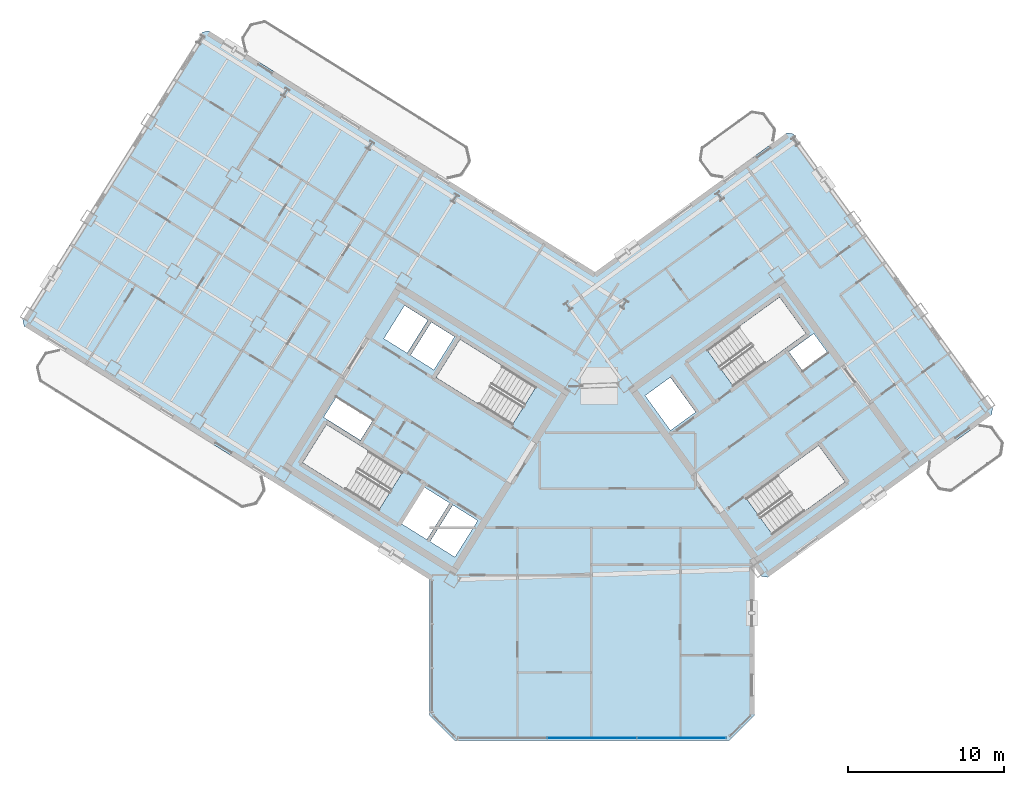
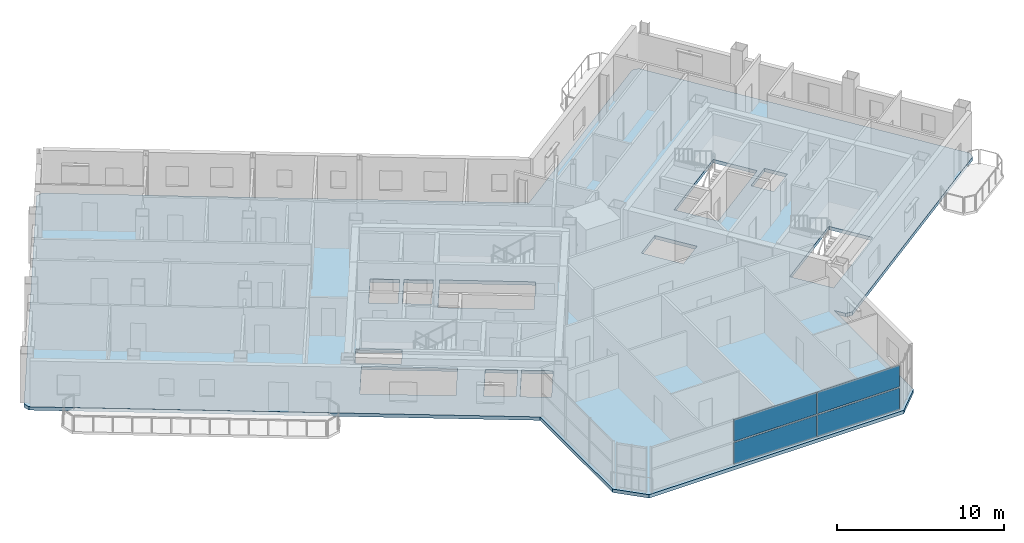
# One storey, part 9 of 23: 4 plates, 1 slab, 1 element without a shape of its own.
"""IFC4 building model written with IfcOpenShell, lengths in metres."""

from ifc_helpers import new_model, si_unit, direction, frame, origin, origin_2d, place, context, subcontext, project, spatial, polyline, rectangle, outline, extrude, source, transform, mapped, material, layer, layer_set, type_object, element, aggregate, save


model = new_model("IFC4")

# Units and contexts
model_context = context("Model", 3, precision=1e-05, world=origin(), true_north=direction((0.0, 1.0)))
body_context = subcontext(model_context, "Body", "Model", "MODEL_VIEW")
ifc_project = project(units=[si_unit("LENGTHUNIT", "METRE"), si_unit("AREAUNIT", "SQUARE_METRE"), si_unit("VOLUMEUNIT", "CUBIC_METRE"), si_unit("PLANEANGLEUNIT", "RADIAN"), si_unit("MASSUNIT", "GRAM", prefix="KILO")], contexts=[model_context])

# Site, building, storey
site_placement = place(None, origin())
site = spatial("IfcSite", under=ifc_project, at=site_placement, CompositionType="ELEMENT")
building_placement = place(site_placement, origin())
building = spatial("IfcBuilding", under=site, at=building_placement, Name="Tlacorven Tower", CompositionType="ELEMENT")
storey_placement = place(building_placement, frame((0.0, 0.0, 218.39990234375)))
storey = spatial("IfcBuildingStorey", under=building, at=storey_placement, Name="L55", CompositionType="ELEMENT", Elevation=218.39990234375)

# Slab
ifc_material_1 = material(Name="Concrete C40/50", Category="concrete")
ifc_layer_1 = layer(ifc_material_1, 0.25)
ifc_layer_set_1 = layer_set([ifc_layer_1], Name="Concrete C40/50")
slab_type = type_object("IfcSlabType", Name="SL-TWR-250", PredefinedType="FLOOR", material=ifc_layer_set_1)
slab_placement = place(storey_placement, frame((0.0, 0.0, -0.25)))
element("IfcSlab", 1, at=slab_placement, inside=storey, type_object=slab_type, Name="L55 Boomerang Tower Floor Slab", PredefinedType="FLOOR", context=body_context, shape_type="SweptSolid", body=[
    extrude(outline(polyline([(52.39990234375, 3.39990234375), (50.800048828125, 1.800048828125), (33.199951171875, 1.800048828125), (31.60009765625, 3.39990234375), (31.60009765625, 12.09423828125), (5.62451171875, 28.32568359375), (5.529052734375, 28.739013671875), (17.0390625, 47.15869140625), (17.452392578125, 47.254150390625), (42.19970703125, 31.790283203125), (54.481689453125, 40.713623046875), (54.90087890625, 40.647216796875), (67.66748046875, 23.075439453125), (67.60107421875, 22.656494140625), (53.265380859375, 12.24072265625), (52.846435546875, 12.30712890625), (52.39990234375, 12.921630859375), (52.39990234375, 3.39990234375)]), holes=[polyline([(29.865478515625, 18.979736328125), (24.9892578125, 22.02685546875), (23.463134765625, 19.58447265625), (28.33935546875, 16.537353515625), (29.865478515625, 18.979736328125)]), polyline([(38.4169921875, 24.4375), (33.540771484375, 27.484375), (32.0146484375, 25.0419921875), (36.890869140625, 21.9951171875), (38.4169921875, 24.4375)]), polyline([(51.05908203125, 24.481689453125), (55.7109375, 27.861572265625), (54.01806640625, 30.19140625), (49.3662109375, 26.811767578125), (51.05908203125, 24.481689453125)]), polyline([(53.56298828125, 14.978759765625), (58.21484375, 18.3583984375), (56.52197265625, 20.6884765625), (51.8701171875, 17.30859375), (53.56298828125, 14.978759765625)]), polyline([(34.682373046875, 15.87548828125), (33.088134765625, 16.871826171875), (31.62548828125, 14.531005859375), (33.2197265625, 13.534912109375), (34.682373046875, 15.87548828125)]), polyline([(32.884521484375, 16.9990234375), (31.2392578125, 18.02685546875), (29.77685546875, 15.686279296875), (31.421875, 14.658203125), (32.884521484375, 16.9990234375)]), polyline([(47.0234375, 21.648681640625), (48.6416015625, 22.82421875), (47.019287109375, 25.05712890625), (45.401123046875, 23.881591796875), (47.0234375, 21.648681640625)]), polyline([(33.197265625, 27.65185546875), (31.704833984375, 28.58447265625), (30.3798828125, 26.46435546875), (31.87255859375, 25.53173828125), (33.197265625, 27.65185546875)]), polyline([(31.484375, 28.722412109375), (29.99169921875, 29.655029296875), (28.6669921875, 27.534912109375), (30.159423828125, 26.602294921875), (31.484375, 28.722412109375)]), polyline([(27.96142578125, 22.2919921875), (25.603759765625, 23.76513671875), (24.80908203125, 22.4931640625), (27.16650390625, 21.02001953125), (27.96142578125, 22.2919921875)]), polyline([(55.490478515625, 25.4765625), (57.092529296875, 26.640380859375), (56.210693359375, 27.85400390625), (54.60888671875, 26.690185546875), (55.490478515625, 25.4765625)])]), origin(), (0.0, 0.0, 1.0), 0.25),
])

# Curtain wall, plates
ifc_material_2 = material(Name="Dark solar low-E double glazing in aluminium frame", Category="aluminium")
curtain_wall_type = type_object("IfcCurtainWallType", Name="CW-TWR-HIGH", PredefinedType="USERDEFINED", material=ifc_material_2)
curtain_wall_placement = place(storey_placement, origin())
curtain_wall = element("IfcCurtainWall", 2, at=curtain_wall_placement, inside=storey, type_object=curtain_wall_type, Name="L55 CW-TWR-HIGH Curtain Wall 250", ObjectType="UNITISED CURTAIN WALL", PredefinedType="USERDEFINED")
ifc_material_3 = material(Name="High-wind dark solar tempered low-E glazing", Category="glass")
ifc_layer_2 = layer(ifc_material_3, 0.028076171875)
ifc_layer_set_2 = layer_set([ifc_layer_2], Name="High-wind dark solar tempered low-E glazing")
plate_type = type_object("IfcPlateType", Name="CWP-03", PredefinedType="CURTAIN_PANEL", material=ifc_layer_set_2)
shared_shape_1 = source(origin(), body_context, "Body", "SweptSolid", [
    extrude(rectangle(XDim=5.683837890625, YDim=0.028076171875, at=origin_2d()), origin(), (0.0, 0.0, 1.0), 1.572998046875),
])
plate_1_placement = place(storey_placement, frame((47.74072265625, 1.9599609375, 0.05126953125), z_axis=(0.0, 0.0, 1.0), x_axis=(-1.0, 0.0, 0.0)))
plate_1 = element("IfcPlate", 3, at=plate_1_placement, type_object=plate_type, Name="CW-L55-250 Glazing Panel 1", PredefinedType="CURTAIN_PANEL", context=body_context, shape_type="MappedRepresentation", body=[
    mapped(shared_shape_1, transform((0.0, 0.0, 0.0), scale=1.0)),
])
plate_2_placement = place(storey_placement, frame((47.74072265625, 1.9599609375, 1.72607421875), z_axis=(0.0, 0.0, 1.0), x_axis=(-1.0, 0.0, 0.0)))
plate_2 = element("IfcPlate", 4, at=plate_2_placement, type_object=plate_type, Name="CW-L55-250 Glazing Panel 2", PredefinedType="CURTAIN_PANEL", context=body_context, shape_type="MappedRepresentation", body=[
    mapped(shared_shape_1, transform((0.0, 0.0, 0.0), scale=1.0)),
])
shared_shape_2 = source(origin(), body_context, "Body", "SweptSolid", [
    extrude(rectangle(XDim=5.7138671875, YDim=0.028076171875, at=origin_2d()), origin(), (0.0, 0.0, 1.0), 1.572998046875),
])
plate_3_placement = place(storey_placement, frame((42.0, 1.9599609375, 0.05126953125), z_axis=(0.0, 0.0, 1.0), x_axis=(-1.0, 0.0, 0.0)))
plate_3 = element("IfcPlate", 5, at=plate_3_placement, type_object=plate_type, Name="CW-L55-250 Glazing Panel 3", PredefinedType="CURTAIN_PANEL", context=body_context, shape_type="MappedRepresentation", body=[
    mapped(shared_shape_2, transform((0.0, 0.0, 0.0), scale=1.0)),
])
plate_4_placement = place(storey_placement, frame((42.0, 1.9599609375, 1.72607421875), z_axis=(0.0, 0.0, 1.0), x_axis=(-1.0, 0.0, 0.0)))
plate_4 = element("IfcPlate", 6, at=plate_4_placement, type_object=plate_type, Name="CW-L55-250 Glazing Panel 4", PredefinedType="CURTAIN_PANEL", context=body_context, shape_type="MappedRepresentation", body=[
    mapped(shared_shape_2, transform((0.0, 0.0, 0.0), scale=1.0)),
])
aggregate(curtain_wall, [plate_1, plate_2, plate_3, plate_4])

save(model, "model.ifc")
